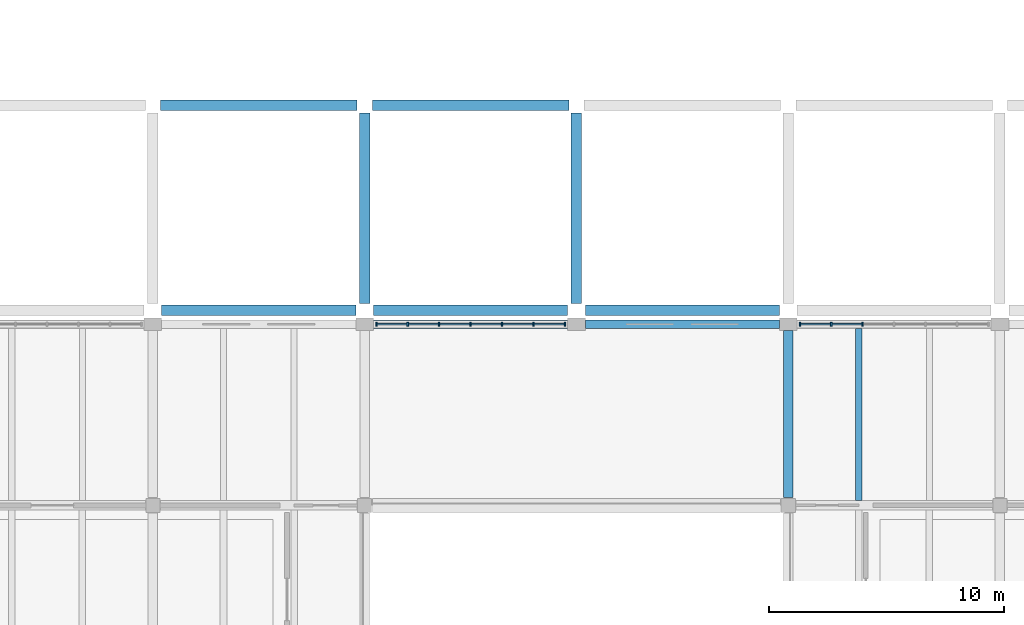
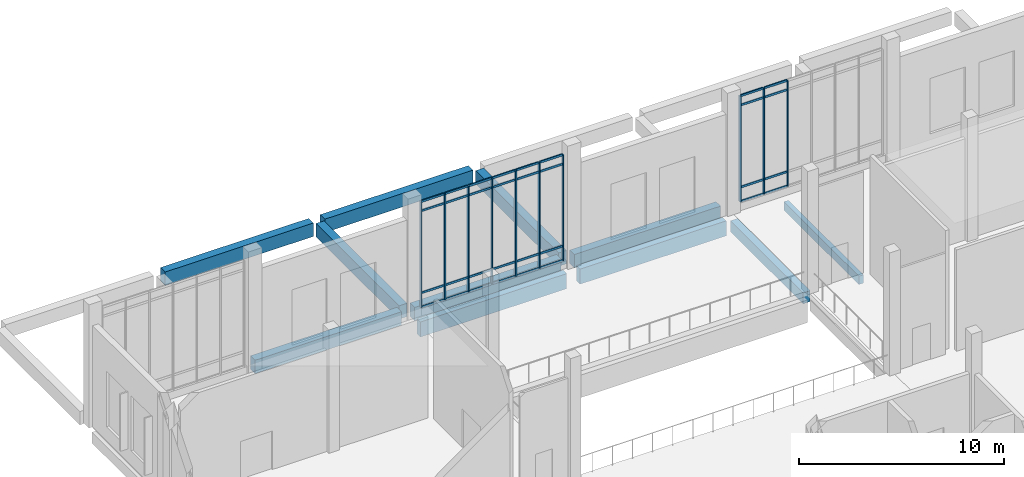
# One storey, part 19 of 110: 42 members, 11 beams, 2 elements without a shape of their own.
"""IFC4 building model written with IfcOpenShell, lengths in metres."""

from ifc_helpers import new_model, si_unit, direction, frame, origin, origin_2d, place, context, subcontext, project, spatial, rectangle, extrude, material, layer, layer_set, material_profile, profile_set, type_object, element, aggregate, save


model = new_model("IFC4")

# Units and contexts
model_context = context("Model", 3, precision=1e-05, world=origin(), true_north=direction((0.0, 1.0)))
body_context = subcontext(model_context, "Body", "Model", "MODEL_VIEW")
ifc_project = project(units=[si_unit("LENGTHUNIT", "METRE"), si_unit("AREAUNIT", "SQUARE_METRE"), si_unit("VOLUMEUNIT", "CUBIC_METRE"), si_unit("PLANEANGLEUNIT", "RADIAN"), si_unit("MASSUNIT", "GRAM", prefix="KILO")], contexts=[model_context])

# Site, building, storey
site_placement = place(None, origin())
site = spatial("IfcSite", under=ifc_project, at=site_placement, CompositionType="ELEMENT")
building_placement = place(site_placement, origin())
building = spatial("IfcBuilding", under=site, at=building_placement, Name="Zacnel Wholesale Market", CompositionType="ELEMENT")
storey_placement = place(building_placement, frame((0.0, 0.0, 6.300048828125)))
storey = spatial("IfcBuildingStorey", under=building, at=storey_placement, Name="L02", CompositionType="ELEMENT", Elevation=6.300048828125)

# Beams
ifc_material_1 = material(Name="Precast concrete C45/55", Category="concrete")
ifc_material_profile_1 = material_profile(ifc_material_1, rectangle(XDim=0.39990234375, YDim=0.64990234375, at=origin_2d()), Name="PG 400x650")
ifc_profile_set_1 = profile_set([ifc_material_profile_1], Name="Precast concrete C45/55")
beam_type_1 = type_object("IfcBeamType", Name="BM-PG650", PredefinedType="BEAM", material=ifc_profile_set_1)
beam_1_placement = place(storey_placement, frame((117.0, 40.324951171875, -0.625), z_axis=(0.0, 1.0, 0.0), x_axis=(-1.0, 0.0, 0.0)))
element("IfcBeam", 1, at=beam_1_placement, inside=storey, type_object=beam_type_1, Name="Precast girder Y-0450", PredefinedType="BEAM", context=body_context, shape_type="SweptSolid", body=[
    extrude(rectangle(XDim=0.39990234375, YDim=0.64990234375, at=origin_2d()), origin(), (0.0, 0.0, 1.0), 7.10009765625),
])
ifc_material_2 = material(Name="Precast concrete C45/55", Category="concrete")
ifc_material_profile_2 = material_profile(ifc_material_2, rectangle(XDim=0.449951171875, YDim=0.800048828125, at=origin_2d()), Name="PG 450x800")
ifc_profile_set_2 = profile_set([ifc_material_profile_2], Name="Precast concrete C45/55")
beam_type_2 = type_object("IfcBeamType", Name="BM-PG800", PredefinedType="BEAM", material=ifc_profile_set_2)
for number, where, z_axis, x_axis, name in (
    (2, (90.375, 48.300048828125, -0.16015625), (1.0, 0.0, 0.0), (0.0, 1.0, 0.0), "Precast girder X-0146"),
    (3, (99.375, 48.300048828125, -0.16015625), (1.0, 0.0, 0.0), (0.0, 1.0, 0.0), "Precast girder X-0147"),
    (4, (108.375, 48.300048828125, -0.16015625), (1.0, 0.0, 0.0), (0.0, 1.0, 0.0), "Precast girder X-0148"),
):
    element("IfcBeam", number, at=place(storey_placement, frame(where, z_axis=z_axis, x_axis=x_axis)), inside=storey, type_object=beam_type_2, Name=name, PredefinedType="BEAM", context=body_context, shape_type="SweptSolid", body=[
        extrude(rectangle(XDim=0.449951171875, YDim=0.800048828125, at=origin_2d()), origin(), (0.0, 0.0, 1.0), 8.25),
    ])
for number, where, z_axis, x_axis, name in (
    (5, (90.324951171875, 57.0, -0.16015625), (1.0, 0.0, 0.0), (0.0, 1.0, 0.0), "Precast girder X-0164"),
    (6, (99.324951171875, 57.0, -0.16015625), (1.0, 0.0, 0.0), (0.0, 1.0, 0.0), "Precast girder X-0165"),
):
    element("IfcBeam", number, at=place(storey_placement, frame(where, z_axis=z_axis, x_axis=x_axis)), inside=storey, type_object=beam_type_2, Name=name, PredefinedType="BEAM", context=body_context, shape_type="SweptSolid", body=[
        extrude(rectangle(XDim=0.449951171875, YDim=0.800048828125, at=origin_2d()), origin(), (0.0, 0.0, 1.0), 8.35009765625),
    ])
for number, where, z_axis, x_axis, name in (
    (7, (99.0, 48.574951171875, -0.16015625), (0.0, 1.0, 0.0), (-1.0, 0.0, 0.0), "Precast girder Y-0440"),
    (8, (108.0, 48.574951171875, -0.16015625), (0.0, 1.0, 0.0), (-1.0, 0.0, 0.0), "Precast girder Y-0444"),
):
    element("IfcBeam", number, at=place(storey_placement, frame(where, z_axis=z_axis, x_axis=x_axis)), inside=storey, type_object=beam_type_2, Name=name, PredefinedType="BEAM", context=body_context, shape_type="SweptSolid", body=[
        extrude(rectangle(XDim=0.449951171875, YDim=0.800048828125, at=origin_2d()), origin(), (0.0, 0.0, 1.0), 8.10009765625),
    ])
ifc_material_3 = material(Name="Precast concrete C45/55", Category="concrete")
ifc_material_profile_3 = material_profile(ifc_material_3, rectangle(XDim=0.260009765625, YDim=0.5, at=origin_2d()), Name="PJ 260x500")
ifc_profile_set_3 = profile_set([ifc_material_profile_3], Name="Precast concrete C45/55")
beam_type_3 = type_object("IfcBeamType", Name="BM-PJ500", PredefinedType="HOLLOWCORE", material=ifc_profile_set_3)
beam_2_placement = place(storey_placement, frame((120.0, 40.199951171875, -0.550048828125), z_axis=(0.0, 1.0, 0.0), x_axis=(-1.0, 0.0, 0.0)))
element("IfcBeam", 9, at=beam_2_placement, inside=storey, type_object=beam_type_3, Name="Precast secondary joist L02-0165", PredefinedType="HOLLOWCORE", context=body_context, shape_type="SweptSolid", body=[
    extrude(rectangle(XDim=0.260009765625, YDim=0.5, at=origin_2d()), origin(), (0.0, 0.0, 1.0), 7.324951171875),
])
ifc_material_4 = material(Name="Precast concrete C45/55", Category="concrete")
ifc_material_profile_4 = material_profile(ifc_material_4, rectangle(XDim=0.35009765625, YDim=0.89990234375, at=origin_2d()), Name="SP 350x900")
ifc_profile_set_4 = profile_set([ifc_material_profile_4], Name="Precast concrete C45/55")
beam_type_4 = type_object("IfcBeamType", Name="BM-SP900", PredefinedType="SPANDREL", material=ifc_profile_set_4)
for number, where, z_axis, x_axis, name in (
    (10, (99.375, 47.699951171875, -0.75), (1.0, 0.0, 0.0), (0.0, 1.0, 0.0), "Precast girder X-0125"),
    (11, (108.375, 47.699951171875, -0.75), (1.0, 0.0, 0.0), (0.0, 1.0, 0.0), "Precast girder X-0126"),
):
    element("IfcBeam", number, at=place(storey_placement, frame(where, z_axis=z_axis, x_axis=x_axis)), inside=storey, type_object=beam_type_4, Name=name, PredefinedType="SPANDREL", context=body_context, shape_type="SweptSolid", body=[
        extrude(rectangle(XDim=0.35009765625, YDim=0.89990234375, at=origin_2d()), origin(), (0.0, 0.0, 1.0), 8.25),
    ])

# Curtain wall, members
ifc_material_5 = material(Name="Anodised aluminium", Category="aluminium")
ifc_layer = layer(ifc_material_5, 0.179931640625)
ifc_layer_set = layer_set([ifc_layer], Name="Anodised aluminium")
curtain_wall_type = type_object("IfcCurtainWallType", Name="CW-AUCT-5800", PredefinedType="NOTDEFINED", material=ifc_layer_set)
curtain_wall_1_placement = place(storey_placement, origin())
curtain_wall_1 = element("IfcCurtainWall", 12, at=curtain_wall_1_placement, inside=storey, type_object=curtain_wall_type, Name="Curtain wall ENV-R2-CW-L02-011", PredefinedType="NOTDEFINED")
ifc_material_6 = material(Name="Anodised aluminium", Category="aluminium")
ifc_material_profile_5 = material_profile(ifc_material_6, rectangle(XDim=0.06494140625, YDim=0.1650390625, at=origin_2d()), Name="AW-MULLION 65x165")
ifc_profile_set_5 = profile_set([ifc_material_profile_5], Name="Anodised aluminium")
member_type_1 = type_object("IfcMemberType", Name="CWM-MUL-04", PredefinedType="MULLION", material=ifc_profile_set_5)
member_1_placement = place(storey_placement, frame((99.4951171875, 47.699951171875, 0.449951171875), z_axis=(0.0, 0.0, 1.0), x_axis=(1.0, 0.0, 0.0)))
member_1 = element("IfcMember", 13, at=member_1_placement, type_object=member_type_1, Name="ENV-R2-CW-L02-011 mullion 01", PredefinedType="MULLION", context=body_context, shape_type="SweptSolid", body=[
    extrude(rectangle(XDim=0.06494140625, YDim=0.1650390625, at=origin_2d()), origin(), (0.0, 0.0, 1.0), 6.2900390625),
])
member_2_placement = place(storey_placement, frame((100.830078125, 47.699951171875, 0.449951171875), z_axis=(0.0, 0.0, 1.0), x_axis=(1.0, 0.0, 0.0)))
member_2 = element("IfcMember", 14, at=member_2_placement, type_object=member_type_1, Name="ENV-R2-CW-L02-011 mullion 02", PredefinedType="MULLION", context=body_context, shape_type="SweptSolid", body=[
    extrude(rectangle(XDim=0.06494140625, YDim=0.1650390625, at=origin_2d()), origin(), (0.0, 0.0, 1.0), 6.2900390625),
])
member_3_placement = place(storey_placement, frame((102.1650390625, 47.699951171875, 0.449951171875), z_axis=(0.0, 0.0, 1.0), x_axis=(1.0, 0.0, 0.0)))
member_3 = element("IfcMember", 15, at=member_3_placement, type_object=member_type_1, Name="ENV-R2-CW-L02-011 mullion 03", PredefinedType="MULLION", context=body_context, shape_type="SweptSolid", body=[
    extrude(rectangle(XDim=0.06494140625, YDim=0.1650390625, at=origin_2d()), origin(), (0.0, 0.0, 1.0), 6.2900390625),
])
member_4_placement = place(storey_placement, frame((103.5, 47.699951171875, 0.449951171875), z_axis=(0.0, 0.0, 1.0), x_axis=(1.0, 0.0, 0.0)))
member_4 = element("IfcMember", 16, at=member_4_placement, type_object=member_type_1, Name="ENV-R2-CW-L02-011 mullion 04", PredefinedType="MULLION", context=body_context, shape_type="SweptSolid", body=[
    extrude(rectangle(XDim=0.06494140625, YDim=0.1650390625, at=origin_2d()), origin(), (0.0, 0.0, 1.0), 6.2900390625),
])
member_5_placement = place(storey_placement, frame((104.8349609375, 47.699951171875, 0.449951171875), z_axis=(0.0, 0.0, 1.0), x_axis=(1.0, 0.0, 0.0)))
member_5 = element("IfcMember", 17, at=member_5_placement, type_object=member_type_1, Name="ENV-R2-CW-L02-011 mullion 05", PredefinedType="MULLION", context=body_context, shape_type="SweptSolid", body=[
    extrude(rectangle(XDim=0.06494140625, YDim=0.1650390625, at=origin_2d()), origin(), (0.0, 0.0, 1.0), 6.2900390625),
])
member_6_placement = place(storey_placement, frame((106.169921875, 47.699951171875, 0.449951171875), z_axis=(0.0, 0.0, 1.0), x_axis=(1.0, 0.0, 0.0)))
member_6 = element("IfcMember", 18, at=member_6_placement, type_object=member_type_1, Name="ENV-R2-CW-L02-011 mullion 06", PredefinedType="MULLION", context=body_context, shape_type="SweptSolid", body=[
    extrude(rectangle(XDim=0.06494140625, YDim=0.1650390625, at=origin_2d()), origin(), (0.0, 0.0, 1.0), 6.2900390625),
])
member_7_placement = place(storey_placement, frame((107.5048828125, 47.699951171875, 0.449951171875), z_axis=(0.0, 0.0, 1.0), x_axis=(1.0, 0.0, 0.0)))
member_7 = element("IfcMember", 19, at=member_7_placement, type_object=member_type_1, Name="ENV-R2-CW-L02-011 mullion 07", PredefinedType="MULLION", context=body_context, shape_type="SweptSolid", body=[
    extrude(rectangle(XDim=0.06494140625, YDim=0.1650390625, at=origin_2d()), origin(), (0.0, 0.0, 1.0), 6.2900390625),
])

curtain_wall_2_placement = place(storey_placement, origin())
curtain_wall_2 = element("IfcCurtainWall", 20, at=curtain_wall_2_placement, inside=storey, type_object=curtain_wall_type, Name="Curtain wall ENV-R2-CW-L02-012", PredefinedType="NOTDEFINED")
member_8_placement = place(storey_placement, frame((117.4951171875, 47.699951171875, 0.449951171875), z_axis=(0.0, 0.0, 1.0), x_axis=(1.0, 0.0, 0.0)))
member_8 = element("IfcMember", 21, at=member_8_placement, type_object=member_type_1, Name="ENV-R2-CW-L02-012 mullion 01", PredefinedType="MULLION", context=body_context, shape_type="SweptSolid", body=[
    extrude(rectangle(XDim=0.06494140625, YDim=0.1650390625, at=origin_2d()), origin(), (0.0, 0.0, 1.0), 6.2900390625),
])
member_9_placement = place(storey_placement, frame((118.830078125, 47.699951171875, 0.449951171875), z_axis=(0.0, 0.0, 1.0), x_axis=(1.0, 0.0, 0.0)))
member_9 = element("IfcMember", 22, at=member_9_placement, type_object=member_type_1, Name="ENV-R2-CW-L02-012 mullion 02", PredefinedType="MULLION", context=body_context, shape_type="SweptSolid", body=[
    extrude(rectangle(XDim=0.06494140625, YDim=0.1650390625, at=origin_2d()), origin(), (0.0, 0.0, 1.0), 6.2900390625),
])
member_10_placement = place(storey_placement, frame((120.1650390625, 47.699951171875, 0.449951171875), z_axis=(0.0, 0.0, 1.0), x_axis=(1.0, 0.0, 0.0)))
member_10 = element("IfcMember", 23, at=member_10_placement, type_object=member_type_1, Name="ENV-R2-CW-L02-012 mullion 03", PredefinedType="MULLION", context=body_context, shape_type="SweptSolid", body=[
    extrude(rectangle(XDim=0.06494140625, YDim=0.1650390625, at=origin_2d()), origin(), (0.0, 0.0, 1.0), 6.2900390625),
])

# Member
ifc_material_7 = material(Name="Anodised aluminium", Category="aluminium")
ifc_material_profile_6 = material_profile(ifc_material_7, rectangle(XDim=0.06494140625, YDim=0.125, at=origin_2d()), Name="AW-TRANSOM 65x125")
ifc_profile_set_6 = profile_set([ifc_material_profile_6], Name="Anodised aluminium")
member_type_2 = type_object("IfcMemberType", Name="CWM-TRN-04", PredefinedType="USERDEFINED", material=ifc_profile_set_6)
member_11_placement = place(storey_placement, frame((99.530029296875, 47.699951171875, 0.449951171875), z_axis=(1.0, 0.0, 0.0), x_axis=(0.0, 1.0, 0.0)))
member_11 = element("IfcMember", 24, at=member_11_placement, type_object=member_type_2, Name="ENV-R2-CW-L02-011 transom 1-1", ObjectType="TRANSOM", PredefinedType="USERDEFINED", context=body_context, shape_type="SweptSolid", body=[
    extrude(rectangle(XDim=0.06494140625, YDim=0.125, at=origin_2d()), origin(), (0.0, 0.0, 1.0), 1.264892578125),
])

member_12_placement = place(storey_placement, frame((99.530029296875, 47.699951171875, 1.300048828125), z_axis=(1.0, 0.0, 0.0), x_axis=(0.0, 1.0, 0.0)))
member_12 = element("IfcMember", 25, at=member_12_placement, type_object=member_type_2, Name="ENV-R2-CW-L02-011 transom 1-2", ObjectType="TRANSOM", PredefinedType="USERDEFINED", context=body_context, shape_type="SweptSolid", body=[
    extrude(rectangle(XDim=0.06494140625, YDim=0.125, at=origin_2d()), origin(), (0.0, 0.0, 1.0), 1.264892578125),
])

member_13_placement = place(storey_placement, frame((99.530029296875, 47.699951171875, 6.18994140625), z_axis=(1.0, 0.0, 0.0), x_axis=(0.0, 1.0, 0.0)))
member_13 = element("IfcMember", 26, at=member_13_placement, type_object=member_type_2, Name="ENV-R2-CW-L02-011 transom 1-3", ObjectType="TRANSOM", PredefinedType="USERDEFINED", context=body_context, shape_type="SweptSolid", body=[
    extrude(rectangle(XDim=0.06494140625, YDim=0.125, at=origin_2d()), origin(), (0.0, 0.0, 1.0), 1.264892578125),
])

member_14_placement = place(storey_placement, frame((99.530029296875, 47.699951171875, 6.739990234375), z_axis=(1.0, 0.0, 0.0), x_axis=(0.0, 1.0, 0.0)))
member_14 = element("IfcMember", 27, at=member_14_placement, type_object=member_type_2, Name="ENV-R2-CW-L02-011 transom 1-4", ObjectType="TRANSOM", PredefinedType="USERDEFINED", context=body_context, shape_type="SweptSolid", body=[
    extrude(rectangle(XDim=0.06494140625, YDim=0.125, at=origin_2d()), origin(), (0.0, 0.0, 1.0), 1.264892578125),
])

member_15_placement = place(storey_placement, frame((100.864990234375, 47.699951171875, 0.449951171875), z_axis=(1.0, 0.0, 0.0), x_axis=(0.0, 1.0, 0.0)))
member_15 = element("IfcMember", 28, at=member_15_placement, type_object=member_type_2, Name="ENV-R2-CW-L02-011 transom 2-1", ObjectType="TRANSOM", PredefinedType="USERDEFINED", context=body_context, shape_type="SweptSolid", body=[
    extrude(rectangle(XDim=0.06494140625, YDim=0.125, at=origin_2d()), origin(), (0.0, 0.0, 1.0), 1.264892578125),
])

member_16_placement = place(storey_placement, frame((100.864990234375, 47.699951171875, 1.300048828125), z_axis=(1.0, 0.0, 0.0), x_axis=(0.0, 1.0, 0.0)))
member_16 = element("IfcMember", 29, at=member_16_placement, type_object=member_type_2, Name="ENV-R2-CW-L02-011 transom 2-2", ObjectType="TRANSOM", PredefinedType="USERDEFINED", context=body_context, shape_type="SweptSolid", body=[
    extrude(rectangle(XDim=0.06494140625, YDim=0.125, at=origin_2d()), origin(), (0.0, 0.0, 1.0), 1.264892578125),
])

member_17_placement = place(storey_placement, frame((100.864990234375, 47.699951171875, 6.18994140625), z_axis=(1.0, 0.0, 0.0), x_axis=(0.0, 1.0, 0.0)))
member_17 = element("IfcMember", 30, at=member_17_placement, type_object=member_type_2, Name="ENV-R2-CW-L02-011 transom 2-3", ObjectType="TRANSOM", PredefinedType="USERDEFINED", context=body_context, shape_type="SweptSolid", body=[
    extrude(rectangle(XDim=0.06494140625, YDim=0.125, at=origin_2d()), origin(), (0.0, 0.0, 1.0), 1.264892578125),
])

member_18_placement = place(storey_placement, frame((100.864990234375, 47.699951171875, 6.739990234375), z_axis=(1.0, 0.0, 0.0), x_axis=(0.0, 1.0, 0.0)))
member_18 = element("IfcMember", 31, at=member_18_placement, type_object=member_type_2, Name="ENV-R2-CW-L02-011 transom 2-4", ObjectType="TRANSOM", PredefinedType="USERDEFINED", context=body_context, shape_type="SweptSolid", body=[
    extrude(rectangle(XDim=0.06494140625, YDim=0.125, at=origin_2d()), origin(), (0.0, 0.0, 1.0), 1.264892578125),
])

member_19_placement = place(storey_placement, frame((102.199951171875, 47.699951171875, 0.449951171875), z_axis=(1.0, 0.0, 0.0), x_axis=(0.0, 1.0, 0.0)))
member_19 = element("IfcMember", 32, at=member_19_placement, type_object=member_type_2, Name="ENV-R2-CW-L02-011 transom 3-1", ObjectType="TRANSOM", PredefinedType="USERDEFINED", context=body_context, shape_type="SweptSolid", body=[
    extrude(rectangle(XDim=0.06494140625, YDim=0.125, at=origin_2d()), origin(), (0.0, 0.0, 1.0), 1.26513671875),
])

member_20_placement = place(storey_placement, frame((102.199951171875, 47.699951171875, 1.300048828125), z_axis=(1.0, 0.0, 0.0), x_axis=(0.0, 1.0, 0.0)))
member_20 = element("IfcMember", 33, at=member_20_placement, type_object=member_type_2, Name="ENV-R2-CW-L02-011 transom 3-2", ObjectType="TRANSOM", PredefinedType="USERDEFINED", context=body_context, shape_type="SweptSolid", body=[
    extrude(rectangle(XDim=0.06494140625, YDim=0.125, at=origin_2d()), origin(), (0.0, 0.0, 1.0), 1.26513671875),
])

member_21_placement = place(storey_placement, frame((102.199951171875, 47.699951171875, 6.18994140625), z_axis=(1.0, 0.0, 0.0), x_axis=(0.0, 1.0, 0.0)))
member_21 = element("IfcMember", 34, at=member_21_placement, type_object=member_type_2, Name="ENV-R2-CW-L02-011 transom 3-3", ObjectType="TRANSOM", PredefinedType="USERDEFINED", context=body_context, shape_type="SweptSolid", body=[
    extrude(rectangle(XDim=0.06494140625, YDim=0.125, at=origin_2d()), origin(), (0.0, 0.0, 1.0), 1.26513671875),
])

member_22_placement = place(storey_placement, frame((102.199951171875, 47.699951171875, 6.739990234375), z_axis=(1.0, 0.0, 0.0), x_axis=(0.0, 1.0, 0.0)))
member_22 = element("IfcMember", 35, at=member_22_placement, type_object=member_type_2, Name="ENV-R2-CW-L02-011 transom 3-4", ObjectType="TRANSOM", PredefinedType="USERDEFINED", context=body_context, shape_type="SweptSolid", body=[
    extrude(rectangle(XDim=0.06494140625, YDim=0.125, at=origin_2d()), origin(), (0.0, 0.0, 1.0), 1.26513671875),
])

member_23_placement = place(storey_placement, frame((103.534912109375, 47.699951171875, 0.449951171875), z_axis=(1.0, 0.0, 0.0), x_axis=(0.0, 1.0, 0.0)))
member_23 = element("IfcMember", 36, at=member_23_placement, type_object=member_type_2, Name="ENV-R2-CW-L02-011 transom 4-1", ObjectType="TRANSOM", PredefinedType="USERDEFINED", context=body_context, shape_type="SweptSolid", body=[
    extrude(rectangle(XDim=0.06494140625, YDim=0.125, at=origin_2d()), origin(), (0.0, 0.0, 1.0), 1.26513671875),
])

member_24_placement = place(storey_placement, frame((103.534912109375, 47.699951171875, 1.300048828125), z_axis=(1.0, 0.0, 0.0), x_axis=(0.0, 1.0, 0.0)))
member_24 = element("IfcMember", 37, at=member_24_placement, type_object=member_type_2, Name="ENV-R2-CW-L02-011 transom 4-2", ObjectType="TRANSOM", PredefinedType="USERDEFINED", context=body_context, shape_type="SweptSolid", body=[
    extrude(rectangle(XDim=0.06494140625, YDim=0.125, at=origin_2d()), origin(), (0.0, 0.0, 1.0), 1.26513671875),
])

member_25_placement = place(storey_placement, frame((103.534912109375, 47.699951171875, 6.18994140625), z_axis=(1.0, 0.0, 0.0), x_axis=(0.0, 1.0, 0.0)))
member_25 = element("IfcMember", 38, at=member_25_placement, type_object=member_type_2, Name="ENV-R2-CW-L02-011 transom 4-3", ObjectType="TRANSOM", PredefinedType="USERDEFINED", context=body_context, shape_type="SweptSolid", body=[
    extrude(rectangle(XDim=0.06494140625, YDim=0.125, at=origin_2d()), origin(), (0.0, 0.0, 1.0), 1.26513671875),
])

member_26_placement = place(storey_placement, frame((103.534912109375, 47.699951171875, 6.739990234375), z_axis=(1.0, 0.0, 0.0), x_axis=(0.0, 1.0, 0.0)))
member_26 = element("IfcMember", 39, at=member_26_placement, type_object=member_type_2, Name="ENV-R2-CW-L02-011 transom 4-4", ObjectType="TRANSOM", PredefinedType="USERDEFINED", context=body_context, shape_type="SweptSolid", body=[
    extrude(rectangle(XDim=0.06494140625, YDim=0.125, at=origin_2d()), origin(), (0.0, 0.0, 1.0), 1.26513671875),
])

member_27_placement = place(storey_placement, frame((104.8701171875, 47.699951171875, 0.449951171875), z_axis=(1.0, 0.0, 0.0), x_axis=(0.0, 1.0, 0.0)))
member_27 = element("IfcMember", 40, at=member_27_placement, type_object=member_type_2, Name="ENV-R2-CW-L02-011 transom 5-1", ObjectType="TRANSOM", PredefinedType="USERDEFINED", context=body_context, shape_type="SweptSolid", body=[
    extrude(rectangle(XDim=0.06494140625, YDim=0.125, at=origin_2d()), origin(), (0.0, 0.0, 1.0), 1.264892578125),
])

member_28_placement = place(storey_placement, frame((104.8701171875, 47.699951171875, 1.300048828125), z_axis=(1.0, 0.0, 0.0), x_axis=(0.0, 1.0, 0.0)))
member_28 = element("IfcMember", 41, at=member_28_placement, type_object=member_type_2, Name="ENV-R2-CW-L02-011 transom 5-2", ObjectType="TRANSOM", PredefinedType="USERDEFINED", context=body_context, shape_type="SweptSolid", body=[
    extrude(rectangle(XDim=0.06494140625, YDim=0.125, at=origin_2d()), origin(), (0.0, 0.0, 1.0), 1.264892578125),
])

member_29_placement = place(storey_placement, frame((104.8701171875, 47.699951171875, 6.18994140625), z_axis=(1.0, 0.0, 0.0), x_axis=(0.0, 1.0, 0.0)))
member_29 = element("IfcMember", 42, at=member_29_placement, type_object=member_type_2, Name="ENV-R2-CW-L02-011 transom 5-3", ObjectType="TRANSOM", PredefinedType="USERDEFINED", context=body_context, shape_type="SweptSolid", body=[
    extrude(rectangle(XDim=0.06494140625, YDim=0.125, at=origin_2d()), origin(), (0.0, 0.0, 1.0), 1.264892578125),
])

member_30_placement = place(storey_placement, frame((104.8701171875, 47.699951171875, 6.739990234375), z_axis=(1.0, 0.0, 0.0), x_axis=(0.0, 1.0, 0.0)))
member_30 = element("IfcMember", 43, at=member_30_placement, type_object=member_type_2, Name="ENV-R2-CW-L02-011 transom 5-4", ObjectType="TRANSOM", PredefinedType="USERDEFINED", context=body_context, shape_type="SweptSolid", body=[
    extrude(rectangle(XDim=0.06494140625, YDim=0.125, at=origin_2d()), origin(), (0.0, 0.0, 1.0), 1.264892578125),
])

member_31_placement = place(storey_placement, frame((106.205078125, 47.699951171875, 0.449951171875), z_axis=(1.0, 0.0, 0.0), x_axis=(0.0, 1.0, 0.0)))
member_31 = element("IfcMember", 44, at=member_31_placement, type_object=member_type_2, Name="ENV-R2-CW-L02-011 transom 6-1", ObjectType="TRANSOM", PredefinedType="USERDEFINED", context=body_context, shape_type="SweptSolid", body=[
    extrude(rectangle(XDim=0.06494140625, YDim=0.125, at=origin_2d()), origin(), (0.0, 0.0, 1.0), 1.264892578125),
])

member_32_placement = place(storey_placement, frame((106.205078125, 47.699951171875, 1.300048828125), z_axis=(1.0, 0.0, 0.0), x_axis=(0.0, 1.0, 0.0)))
member_32 = element("IfcMember", 45, at=member_32_placement, type_object=member_type_2, Name="ENV-R2-CW-L02-011 transom 6-2", ObjectType="TRANSOM", PredefinedType="USERDEFINED", context=body_context, shape_type="SweptSolid", body=[
    extrude(rectangle(XDim=0.06494140625, YDim=0.125, at=origin_2d()), origin(), (0.0, 0.0, 1.0), 1.264892578125),
])

member_33_placement = place(storey_placement, frame((106.205078125, 47.699951171875, 6.18994140625), z_axis=(1.0, 0.0, 0.0), x_axis=(0.0, 1.0, 0.0)))
member_33 = element("IfcMember", 46, at=member_33_placement, type_object=member_type_2, Name="ENV-R2-CW-L02-011 transom 6-3", ObjectType="TRANSOM", PredefinedType="USERDEFINED", context=body_context, shape_type="SweptSolid", body=[
    extrude(rectangle(XDim=0.06494140625, YDim=0.125, at=origin_2d()), origin(), (0.0, 0.0, 1.0), 1.264892578125),
])

member_34_placement = place(storey_placement, frame((106.205078125, 47.699951171875, 6.739990234375), z_axis=(1.0, 0.0, 0.0), x_axis=(0.0, 1.0, 0.0)))
member_34 = element("IfcMember", 47, at=member_34_placement, type_object=member_type_2, Name="ENV-R2-CW-L02-011 transom 6-4", ObjectType="TRANSOM", PredefinedType="USERDEFINED", context=body_context, shape_type="SweptSolid", body=[
    extrude(rectangle(XDim=0.06494140625, YDim=0.125, at=origin_2d()), origin(), (0.0, 0.0, 1.0), 1.264892578125),
])

aggregate(curtain_wall_1, [member_1, member_2, member_3, member_4, member_5, member_6, member_7, member_11, member_12, member_13, member_14, member_15, member_16, member_17, member_18, member_19, member_20, member_21, member_22, member_23, member_24, member_25, member_26, member_27, member_28, member_29, member_30, member_31, member_32, member_33, member_34])

member_35_placement = place(storey_placement, frame((117.530029296875, 47.699951171875, 0.449951171875), z_axis=(1.0, 0.0, 0.0), x_axis=(0.0, 1.0, 0.0)))
member_35 = element("IfcMember", 48, at=member_35_placement, type_object=member_type_2, Name="ENV-R2-CW-L02-012 transom 1-1", ObjectType="TRANSOM", PredefinedType="USERDEFINED", context=body_context, shape_type="SweptSolid", body=[
    extrude(rectangle(XDim=0.06494140625, YDim=0.125, at=origin_2d()), origin(), (0.0, 0.0, 1.0), 1.264892578125),
])

member_36_placement = place(storey_placement, frame((117.530029296875, 47.699951171875, 1.300048828125), z_axis=(1.0, 0.0, 0.0), x_axis=(0.0, 1.0, 0.0)))
member_36 = element("IfcMember", 49, at=member_36_placement, type_object=member_type_2, Name="ENV-R2-CW-L02-012 transom 1-2", ObjectType="TRANSOM", PredefinedType="USERDEFINED", context=body_context, shape_type="SweptSolid", body=[
    extrude(rectangle(XDim=0.06494140625, YDim=0.125, at=origin_2d()), origin(), (0.0, 0.0, 1.0), 1.264892578125),
])

member_37_placement = place(storey_placement, frame((117.530029296875, 47.699951171875, 6.18994140625), z_axis=(1.0, 0.0, 0.0), x_axis=(0.0, 1.0, 0.0)))
member_37 = element("IfcMember", 50, at=member_37_placement, type_object=member_type_2, Name="ENV-R2-CW-L02-012 transom 1-3", ObjectType="TRANSOM", PredefinedType="USERDEFINED", context=body_context, shape_type="SweptSolid", body=[
    extrude(rectangle(XDim=0.06494140625, YDim=0.125, at=origin_2d()), origin(), (0.0, 0.0, 1.0), 1.264892578125),
])

member_38_placement = place(storey_placement, frame((117.530029296875, 47.699951171875, 6.739990234375), z_axis=(1.0, 0.0, 0.0), x_axis=(0.0, 1.0, 0.0)))
member_38 = element("IfcMember", 51, at=member_38_placement, type_object=member_type_2, Name="ENV-R2-CW-L02-012 transom 1-4", ObjectType="TRANSOM", PredefinedType="USERDEFINED", context=body_context, shape_type="SweptSolid", body=[
    extrude(rectangle(XDim=0.06494140625, YDim=0.125, at=origin_2d()), origin(), (0.0, 0.0, 1.0), 1.264892578125),
])

member_39_placement = place(storey_placement, frame((118.864990234375, 47.699951171875, 0.449951171875), z_axis=(1.0, 0.0, 0.0), x_axis=(0.0, 1.0, 0.0)))
member_39 = element("IfcMember", 52, at=member_39_placement, type_object=member_type_2, Name="ENV-R2-CW-L02-012 transom 2-1", ObjectType="TRANSOM", PredefinedType="USERDEFINED", context=body_context, shape_type="SweptSolid", body=[
    extrude(rectangle(XDim=0.06494140625, YDim=0.125, at=origin_2d()), origin(), (0.0, 0.0, 1.0), 1.264892578125),
])

member_40_placement = place(storey_placement, frame((118.864990234375, 47.699951171875, 1.300048828125), z_axis=(1.0, 0.0, 0.0), x_axis=(0.0, 1.0, 0.0)))
member_40 = element("IfcMember", 53, at=member_40_placement, type_object=member_type_2, Name="ENV-R2-CW-L02-012 transom 2-2", ObjectType="TRANSOM", PredefinedType="USERDEFINED", context=body_context, shape_type="SweptSolid", body=[
    extrude(rectangle(XDim=0.06494140625, YDim=0.125, at=origin_2d()), origin(), (0.0, 0.0, 1.0), 1.264892578125),
])

member_41_placement = place(storey_placement, frame((118.864990234375, 47.699951171875, 6.18994140625), z_axis=(1.0, 0.0, 0.0), x_axis=(0.0, 1.0, 0.0)))
member_41 = element("IfcMember", 54, at=member_41_placement, type_object=member_type_2, Name="ENV-R2-CW-L02-012 transom 2-3", ObjectType="TRANSOM", PredefinedType="USERDEFINED", context=body_context, shape_type="SweptSolid", body=[
    extrude(rectangle(XDim=0.06494140625, YDim=0.125, at=origin_2d()), origin(), (0.0, 0.0, 1.0), 1.264892578125),
])

member_42_placement = place(storey_placement, frame((118.864990234375, 47.699951171875, 6.739990234375), z_axis=(1.0, 0.0, 0.0), x_axis=(0.0, 1.0, 0.0)))
member_42 = element("IfcMember", 55, at=member_42_placement, type_object=member_type_2, Name="ENV-R2-CW-L02-012 transom 2-4", ObjectType="TRANSOM", PredefinedType="USERDEFINED", context=body_context, shape_type="SweptSolid", body=[
    extrude(rectangle(XDim=0.06494140625, YDim=0.125, at=origin_2d()), origin(), (0.0, 0.0, 1.0), 1.264892578125),
])

aggregate(curtain_wall_2, [member_8, member_9, member_10, member_35, member_36, member_37, member_38, member_39, member_40, member_41, member_42])

save(model, "model.ifc")
